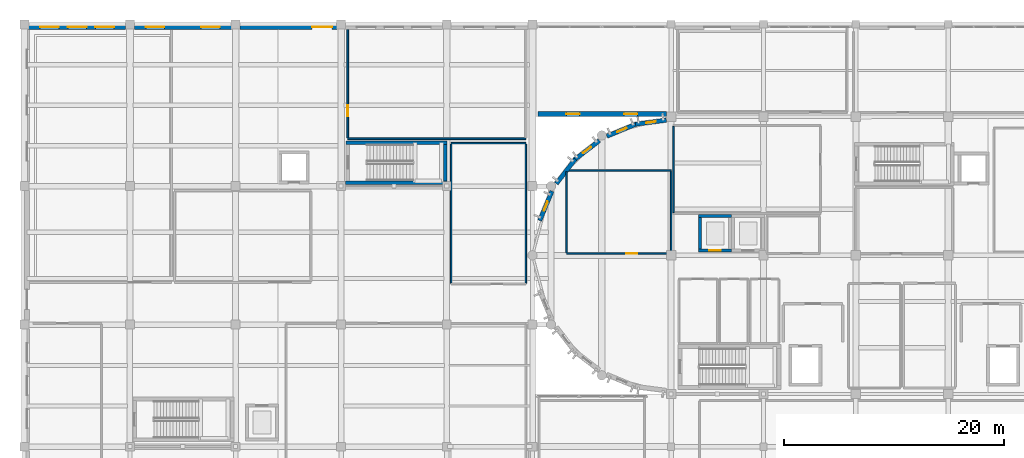
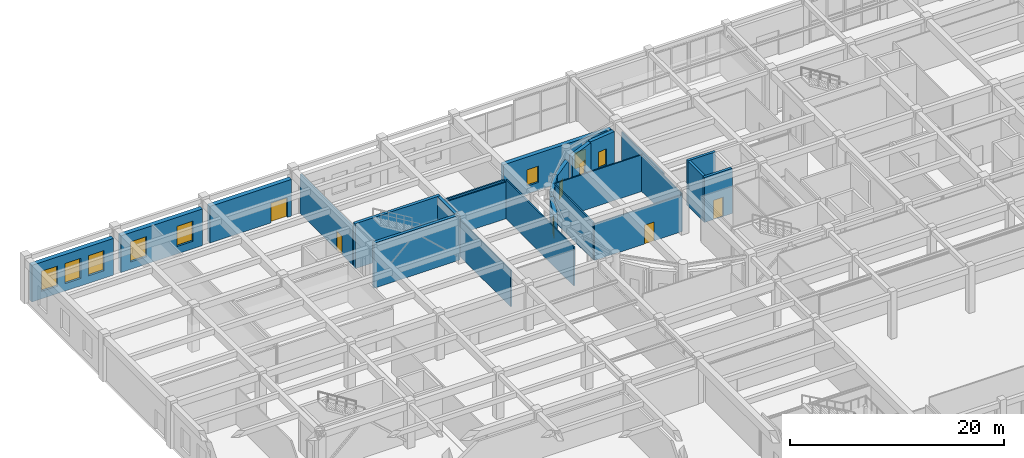
# One storey, part 71 of 98: 25 walls, 11 windows, 4 doors, 15 openings.
"""IFC4 building model written with IfcOpenShell, lengths in metres."""

from ifc_helpers import new_model, si_unit, direction, frame, frame_2d, origin, place, context, subcontext, project, spatial, rectangle, extrude, material, layer, layer_set, type_object, element, fill, save


model = new_model("IFC4")

# Units and contexts
model_context = context("Model", 3, precision=1e-05, world=origin(), true_north=direction((0.0, 1.0)))
body_context = subcontext(model_context, "Body", "Model", "MODEL_VIEW")
ifc_project = project(units=[si_unit("LENGTHUNIT", "METRE"), si_unit("AREAUNIT", "SQUARE_METRE"), si_unit("VOLUMEUNIT", "CUBIC_METRE"), si_unit("PLANEANGLEUNIT", "RADIAN"), si_unit("MASSUNIT", "GRAM", prefix="KILO")], contexts=[model_context])

# Site, building, storey
site_placement = place(None, origin())
site = spatial("IfcSite", under=ifc_project, at=site_placement, CompositionType="ELEMENT")
building_placement = place(site_placement, origin())
building = spatial("IfcBuilding", under=site, at=building_placement, Name="Tarnavel Promenade Courthouse", CompositionType="ELEMENT")
storey_placement = place(building_placement, origin())
storey = spatial("IfcBuildingStorey", under=building, at=storey_placement, Name="L01", CompositionType="ELEMENT", Elevation=0.0)

# Wall
ifc_material_1 = material(Name="Acoustic Insulated Gypsum Stud Partition", Category="gypsum")
ifc_layer_1 = layer(ifc_material_1, 0.1650390625)
ifc_layer_set_1 = layer_set([ifc_layer_1], Name="Acoustic Insulated Gypsum Stud Partition")
wall_type_1 = type_object("IfcWallType", Name="Acoustic Insulated Gypsum Stud Partition WL-CHM-165 (165 mm)", PredefinedType="PARTITIONING", material=ifc_layer_set_1)
wall_1_placement = place(storey_placement, frame((45.60009765625, 102.39990234375, 0.0), z_axis=(0.0, 0.0, 1.0), x_axis=(-1.0, 0.0, 0.0)))
element("IfcWall", 1, at=wall_1_placement, inside=storey, type_object=wall_type_1, Name="L01 Jury Assembly Room Partition 0119", PredefinedType="PARTITIONING", context=body_context, shape_type="SweptSolid", body=[
    extrude(rectangle(XDim=16.2001953125, YDim=0.1650390625, at=frame_2d((8.10009765625, 0.0))), origin(), (0.0, 0.0, 1.0), 4.179931640625),
])

# Wall, opening, door
wall_2_placement = place(storey_placement, frame((29.39990234375, 102.492431640625, 0.0), z_axis=(0.0, 0.0, 1.0), x_axis=(0.0, 1.0, 0.0)))
wall_2 = element("IfcWall", 2, at=wall_2_placement, inside=storey, type_object=wall_type_1, Name="L01 Jury Assembly Room Partition 0120", PredefinedType="PARTITIONING", context=body_context, shape_type="SweptSolid", body=[
    extrude(rectangle(XDim=9.83349609375, YDim=0.1650390625, at=frame_2d((4.916748046875, 0.0))), origin(), (0.0, 0.0, 1.0), 4.47998046875),
])
opening_1_placement = place(wall_2_placement, frame((1.976806640625, 0.0, 0.0)))
opening_1 = element("IfcOpeningElement", 3, at=opening_1_placement, cuts=wall_2, Name="Opening ID-03", PredefinedType="OPENING", context=body_context, shape_type="SweptSolid", body=[
    extrude(rectangle(XDim=1.0, YDim=2.14990234375, at=frame_2d((0.5, 1.074951171875))), frame((0.0, 0.092529296875, 0.0), z_axis=(0.0, -1.0, 0.0), x_axis=(1.0, 0.0, 0.0)), (0.0, 0.0, 1.0), 0.18505859375),
])
ifc_material_2 = material(Name="Acoustic Solid-Core Oak Jury Room Door")
door_type_1 = type_object("IfcDoorType", Name="Acoustic Solid-Core Oak Jury Room Door (DR-JRY-1000x2150)", OperationType="NOTDEFINED", PredefinedType="DOOR", material=ifc_material_2)
door_1_placement = place(opening_1_placement, origin())
door_1 = element("IfcDoor", 4, at=door_1_placement, inside=storey, type_object=door_type_1, Name="L01 Jury Assembly Room Door 0034", OperationType="SINGLE_SWING_RIGHT", OverallHeight=2.14990234375, OverallWidth=1.0, PredefinedType="DOOR", context=body_context, shape_type="SweptSolid", body=[
    extrude(rectangle(XDim=1.0, YDim=2.14990234375, at=frame_2d((0.5, 1.074951171875))), frame((0.0, 0.02490234375, 0.0), z_axis=(0.0, -1.0, 0.0), x_axis=(1.0, 0.0, 0.0)), (0.0, 0.0, 1.0), 0.050048828125),
])
fill(opening_1, door_1)

# Wall
ifc_material_3 = material(Name="Concrete C40/50", Category="concrete")
ifc_layer_2 = layer(ifc_material_3, 0.280029296875)
ifc_layer_set_2 = layer_set([ifc_layer_2], Name="Concrete C40/50")
wall_type_2 = type_object("IfcWallType", Name="Concrete C40/50 WL-SHR-280 (280 mm)", PredefinedType="SHEAR", material=ifc_layer_set_2)
wall_3_placement = place(storey_placement, frame((61.300048828125, 95.360107421875, 0.0), z_axis=(0.0, 0.0, 1.0), x_axis=(1.0, 0.0, 0.0)))
element("IfcWall", 5, at=wall_3_placement, inside=storey, type_object=wall_type_2, Name="L01 L-PUB1 Lift Shaft North Wall", PredefinedType="SHEAR", context=body_context, shape_type="SweptSolid", body=[
    extrude(rectangle(XDim=3.0, YDim=0.280029296875, at=frame_2d((1.5, 0.0))), origin(), (0.0, 0.0, 1.0), 5.139892578125),
])

# Wall, opening, door
wall_4_placement = place(storey_placement, frame((64.300048828125, 92.239990234375, 0.0), z_axis=(0.0, 0.0, 1.0), x_axis=(-1.0, 0.0, 0.0)))
wall_4 = element("IfcWall", 6, at=wall_4_placement, inside=storey, type_object=wall_type_2, Name="L01 L-PUB1 Lift Shaft South Wall", PredefinedType="SHEAR", context=body_context, shape_type="SweptSolid", body=[
    extrude(rectangle(XDim=3.0, YDim=0.280029296875, at=frame_2d((1.5, 0.0))), origin(), (0.0, 0.0, 1.0), 5.139892578125),
])
opening_2_placement = place(wall_4_placement, frame((0.97509765625, 0.0, 0.0)))
opening_2 = element("IfcOpeningElement", 7, at=opening_2_placement, cuts=wall_4, Name="Opening LD-02", PredefinedType="OPENING", context=body_context, shape_type="SweptSolid", body=[
    extrude(rectangle(XDim=1.050048828125, YDim=2.199951171875, at=frame_2d((0.52490234375, 1.10009765625))), frame((0.0, 0.14990234375, 0.0), z_axis=(0.0, -1.0, 0.0), x_axis=(1.0, 0.0, 0.0)), (0.0, 0.0, 1.0), 0.300048828125),
])
ifc_material_4 = material(Name="Brushed Bronze Passenger Lift Landing Sliding Door")
door_type_2 = type_object("IfcDoorType", Name="Brushed Bronze Passenger Lift Landing Sliding Door (LD-PUB-1050x2200)", OperationType="NOTDEFINED", PredefinedType="DOOR", material=ifc_material_4)
door_2_placement = place(opening_2_placement, origin())
door_2 = element("IfcDoor", 8, at=door_2_placement, inside=storey, type_object=door_type_2, Name="L01 L-PUB1 Lift Sliding Landing Door", OperationType="DOUBLE_DOOR_SLIDING", OverallHeight=2.199951171875, OverallWidth=1.050048828125, PredefinedType="DOOR", context=body_context, shape_type="SweptSolid", body=[
    extrude(rectangle(XDim=1.050048828125, YDim=2.199951171875, at=frame_2d((0.52490234375, 1.10009765625))), frame((0.0, 0.02490234375, 0.0), z_axis=(0.0, -1.0, 0.0), x_axis=(1.0, 0.0, 0.0)), (0.0, 0.0, 1.0), 0.050048828125),
])
fill(opening_2, door_2)

# Walls
wall_5_placement = place(storey_placement, frame((61.43994140625, 92.3798828125, 0.0), z_axis=(0.0, 0.0, 1.0), x_axis=(0.0, 1.0, 0.0)))
element("IfcWall", 9, at=wall_5_placement, inside=storey, type_object=wall_type_2, Name="L01 L-PUB1 Lift Shaft West Wall", PredefinedType="SHEAR", context=body_context, shape_type="SweptSolid", body=[
    extrude(rectangle(XDim=2.840087890625, YDim=0.280029296875, at=frame_2d((1.419921875, 0.0))), origin(), (0.0, 0.0, 1.0), 5.139892578125),
])
ifc_layer_3 = layer(ifc_material_3, 0.320068359375)
ifc_layer_set_3 = layer_set([ifc_layer_3], Name="Concrete C40/50")
wall_type_3 = type_object("IfcWallType", Name="Concrete C40/50 WL-SHR-320 (320 mm)", PredefinedType="SHEAR", material=ifc_layer_set_3)
wall_6_placement = place(storey_placement, frame((29.260009765625, 102.06005859375, 0.0), z_axis=(0.0, 0.0, 1.0), x_axis=(1.0, 0.0, 0.0)))
element("IfcWall", 10, at=wall_6_placement, inside=storey, type_object=wall_type_3, Name="L01 ST-07 Shear Core North Wall", PredefinedType="SHEAR", context=body_context, shape_type="SweptSolid", body=[
    extrude(rectangle(XDim=9.179931640625, YDim=0.320068359375, at=frame_2d((4.58984375, 0.0))), origin(), (0.0, 0.0, 1.0), 5.139892578125),
])
wall_7_placement = place(storey_placement, frame((38.43994140625, 98.419921875, 0.0), z_axis=(0.0, 0.0, 1.0), x_axis=(-1.0, 0.0, 0.0)))
element("IfcWall", 11, at=wall_7_placement, inside=storey, type_object=wall_type_3, Name="L01 ST-07 Shear Core South Wall", PredefinedType="SHEAR", context=body_context, shape_type="SweptSolid", body=[
    extrude(rectangle(XDim=9.239990234375, YDim=0.320068359375, at=frame_2d((4.6201171875, 0.0))), origin(), (0.0, 0.0, 1.0), 5.139892578125),
])
wall_8_placement = place(storey_placement, frame((38.280029296875, 101.89990234375, 0.0), z_axis=(0.0, 0.0, 1.0), x_axis=(0.0, -1.0, 0.0)))
element("IfcWall", 12, at=wall_8_placement, inside=storey, type_object=wall_type_3, Name="L01 ST-07 Shear Core East Wall", PredefinedType="SHEAR", context=body_context, shape_type="SweptSolid", body=[
    extrude(rectangle(XDim=3.31982421875, YDim=0.320068359375, at=frame_2d((1.659912109375, 0.0))), origin(), (0.0, 0.0, 1.0), 5.139892578125),
])

# Wall, openings, windows
ifc_material_5 = material(Name="Limestone Ashlar Faced Insulated Brick Masonry", Category="masonry")
ifc_layer_4 = layer(ifc_material_5, 0.43994140625)
ifc_layer_set_4 = layer_set([ifc_layer_4], Name="Limestone Ashlar Faced Insulated Brick Masonry")
wall_type_4 = type_object("IfcWallType", Name="Limestone Ashlar Faced Insulated Brick Masonry WL-EXT-440 (440 mm)", PredefinedType="STANDARD", material=ifc_layer_set_4)
wall_9_placement = place(storey_placement, frame((58.383056640625, 104.64990234375, 0.0), z_axis=(0.0, 0.0, 1.0), x_axis=(-1.0, 0.0, 0.0)))
wall_9 = element("IfcWall", 13, at=wall_9_placement, inside=storey, type_object=wall_type_4, Name="L01 North Foyer South Courtyard Return Wall 0023", PredefinedType="STANDARD", context=body_context, shape_type="SweptSolid", body=[
    extrude(rectangle(XDim=11.68310546875, YDim=0.43994140625, at=frame_2d((5.841552734375, 0.0))), origin(), (0.0, 0.0, 1.0), 4.219970703125),
])
opening_3_placement = place(wall_9_placement, frame((2.657958984375, 0.0, 0.89990234375)))
opening_3 = element("IfcOpeningElement", 14, at=opening_3_placement, cuts=wall_9, Name="Opening W-05", PredefinedType="OPENING", context=body_context, shape_type="SweptSolid", body=[
    extrude(rectangle(XDim=1.199951171875, YDim=1.85009765625, at=frame_2d((0.60009765625, 0.925048828125))), frame((0.0, 0.22998046875, 0.0), z_axis=(0.0, -1.0, 0.0), x_axis=(1.0, 0.0, 0.0)), (0.0, 0.0, 1.0), 0.4599609375),
])
opening_4_placement = place(wall_9_placement, frame((7.907958984375, 0.0, 0.89990234375)))
opening_4 = element("IfcOpeningElement", 15, at=opening_4_placement, cuts=wall_9, Name="Opening W-05", PredefinedType="OPENING", context=body_context, shape_type="SweptSolid", body=[
    extrude(rectangle(XDim=1.199951171875, YDim=1.85009765625, at=frame_2d((0.60009765625, 0.925048828125))), frame((0.0, 0.22998046875, 0.0), z_axis=(0.0, -1.0, 0.0), x_axis=(1.0, 0.0, 0.0)), (0.0, 0.0, 1.0), 0.4599609375),
])
ifc_material_6 = material(Name="Triple Low-E Glazed Bronze-Clad Window Assembly")
window_type_1 = type_object("IfcWindowType", Name="Triple-Glazed Bronze-Clad Timber-Aluminium WIN-CHM-1200x1850", PartitioningType="SINGLE_PANEL", PredefinedType="WINDOW", material=ifc_material_6)
window_1_placement = place(opening_3_placement, origin())
window_1 = element("IfcWindow", 16, at=window_1_placement, inside=storey, type_object=window_type_1, Name="L01 Exterior Window 0001", OverallHeight=1.85009765625, OverallWidth=1.199951171875, PartitioningType="SINGLE_PANEL", PredefinedType="WINDOW", context=body_context, shape_type="SweptSolid", body=[
    extrude(rectangle(XDim=1.199951171875, YDim=1.85009765625, at=frame_2d((0.60009765625, 0.925048828125))), frame((0.0, 0.030029296875, 0.0), z_axis=(0.0, -1.0, 0.0), x_axis=(1.0, 0.0, 0.0)), (0.0, 0.0, 1.0), 0.06005859375),
])
fill(opening_3, window_1)
window_2_placement = place(opening_4_placement, origin())
window_2 = element("IfcWindow", 17, at=window_2_placement, inside=storey, type_object=window_type_1, Name="L01 Exterior Window 0002", OverallHeight=1.85009765625, OverallWidth=1.199951171875, PartitioningType="SINGLE_PANEL", PredefinedType="WINDOW", context=body_context, shape_type="SweptSolid", body=[
    extrude(rectangle(XDim=1.199951171875, YDim=1.85009765625, at=frame_2d((0.60009765625, 0.925048828125))), frame((0.0, 0.030029296875, 0.0), z_axis=(0.0, -1.0, 0.0), x_axis=(1.0, 0.0, 0.0)), (0.0, 0.0, 1.0), 0.06005859375),
])
fill(opening_4, window_2)

ifc_layer_5 = layer(ifc_material_5, 0.47998046875)
ifc_layer_set_5 = layer_set([ifc_layer_5], Name="Limestone Ashlar Faced Insulated Brick Masonry")
wall_type_5 = type_object("IfcWallType", Name="Limestone Ashlar Faced Insulated Brick Masonry WL-EXT-480 (480 mm)", PredefinedType="STANDARD", material=ifc_layer_set_5)
wall_10_placement = place(storey_placement, frame((0.39208984375, 112.56005859375, 0.0), z_axis=(0.0, 0.0, 1.0), x_axis=(1.0, 0.0, 0.0)))
wall_10 = element("IfcWall", 18, at=wall_10_placement, inside=storey, type_object=wall_type_5, Name="L01 Trial Wing North Ashlar Facade 0272", PredefinedType="STANDARD", context=body_context, shape_type="SweptSolid", body=[
    extrude(rectangle(XDim=8.81591796875, YDim=0.47998046875, at=frame_2d((4.407958984375, 0.0))), origin(), (0.0, 0.0, 1.0), 4.179931640625),
])
opening_5_placement = place(wall_10_placement, frame((1.044677734375, 0.0, 0.85009765625)))
opening_5 = element("IfcOpeningElement", 19, at=opening_5_placement, cuts=wall_10, Name="Opening W-01", PredefinedType="OPENING", context=body_context, shape_type="SweptSolid", body=[
    extrude(rectangle(XDim=1.699951171875, YDim=2.300048828125, at=frame_2d((0.85009765625, 1.14990234375))), frame((0.0, 0.25, 0.0), z_axis=(0.0, -1.0, 0.0), x_axis=(1.0, 0.0, 0.0)), (0.0, 0.0, 1.0), 0.5),
])
opening_6_placement = place(wall_10_placement, frame((3.55810546875, 0.0, 0.85009765625)))
opening_6 = element("IfcOpeningElement", 20, at=opening_6_placement, cuts=wall_10, Name="Opening W-01", PredefinedType="OPENING", context=body_context, shape_type="SweptSolid", body=[
    extrude(rectangle(XDim=1.699951171875, YDim=2.300048828125, at=frame_2d((0.85009765625, 1.14990234375))), frame((0.0, 0.25, 0.0), z_axis=(0.0, -1.0, 0.0), x_axis=(1.0, 0.0, 0.0)), (0.0, 0.0, 1.0), 0.5),
])
opening_7_placement = place(wall_10_placement, frame((6.0712890625, 0.0, 0.85009765625)))
opening_7 = element("IfcOpeningElement", 21, at=opening_7_placement, cuts=wall_10, Name="Opening W-01", PredefinedType="OPENING", context=body_context, shape_type="SweptSolid", body=[
    extrude(rectangle(XDim=1.699951171875, YDim=2.300048828125, at=frame_2d((0.85009765625, 1.14990234375))), frame((0.0, 0.25, 0.0), z_axis=(0.0, -1.0, 0.0), x_axis=(1.0, 0.0, 0.0)), (0.0, 0.0, 1.0), 0.5),
])
window_type_2 = type_object("IfcWindowType", Name="Triple-Glazed Bronze-Clad Timber-Aluminium WIN-CRT-1700x2300", PartitioningType="SINGLE_PANEL", PredefinedType="WINDOW", material=ifc_material_6)
window_3_placement = place(opening_5_placement, origin())
window_3 = element("IfcWindow", 22, at=window_3_placement, inside=storey, type_object=window_type_2, Name="L01 Exterior Window 0233", OverallHeight=2.300048828125, OverallWidth=1.699951171875, PartitioningType="SINGLE_PANEL", PredefinedType="WINDOW", context=body_context, shape_type="SweptSolid", body=[
    extrude(rectangle(XDim=1.699951171875, YDim=2.300048828125, at=frame_2d((0.85009765625, 1.14990234375))), frame((0.0, 0.030029296875, 0.0), z_axis=(0.0, -1.0, 0.0), x_axis=(1.0, 0.0, 0.0)), (0.0, 0.0, 1.0), 0.06005859375),
])
fill(opening_5, window_3)
window_4_placement = place(opening_6_placement, origin())
window_4 = element("IfcWindow", 23, at=window_4_placement, inside=storey, type_object=window_type_2, Name="L01 Exterior Window 0234", OverallHeight=2.300048828125, OverallWidth=1.699951171875, PartitioningType="SINGLE_PANEL", PredefinedType="WINDOW", context=body_context, shape_type="SweptSolid", body=[
    extrude(rectangle(XDim=1.699951171875, YDim=2.300048828125, at=frame_2d((0.85009765625, 1.14990234375))), frame((0.0, 0.030029296875, 0.0), z_axis=(0.0, -1.0, 0.0), x_axis=(1.0, 0.0, 0.0)), (0.0, 0.0, 1.0), 0.06005859375),
])
fill(opening_6, window_4)
window_5_placement = place(opening_7_placement, origin())
window_5 = element("IfcWindow", 24, at=window_5_placement, inside=storey, type_object=window_type_2, Name="L01 Exterior Window 0235", OverallHeight=2.300048828125, OverallWidth=1.699951171875, PartitioningType="SINGLE_PANEL", PredefinedType="WINDOW", context=body_context, shape_type="SweptSolid", body=[
    extrude(rectangle(XDim=1.699951171875, YDim=2.300048828125, at=frame_2d((0.85009765625, 1.14990234375))), frame((0.0, 0.030029296875, 0.0), z_axis=(0.0, -1.0, 0.0), x_axis=(1.0, 0.0, 0.0)), (0.0, 0.0, 1.0), 0.06005859375),
])
fill(opening_7, window_5)

wall_11_placement = place(storey_placement, frame((9.991943359375, 112.56005859375, 0.0), z_axis=(0.0, 0.0, 1.0), x_axis=(1.0, 0.0, 0.0)))
wall_11 = element("IfcWall", 25, at=wall_11_placement, inside=storey, type_object=wall_type_5, Name="L01 Trial Wing North Ashlar Facade 0273", PredefinedType="STANDARD", context=body_context, shape_type="SweptSolid", body=[
    extrude(rectangle(XDim=8.821044921875, YDim=0.47998046875, at=frame_2d((4.41064453125, 0.0))), origin(), (0.0, 0.0, 1.0), 4.179931640625),
])
opening_8_placement = place(wall_11_placement, frame((1.044677734375, 0.0, 0.85009765625)))
opening_8 = element("IfcOpeningElement", 26, at=opening_8_placement, cuts=wall_11, Name="Opening W-01", PredefinedType="OPENING", context=body_context, shape_type="SweptSolid", body=[
    extrude(rectangle(XDim=1.699951171875, YDim=2.300048828125, at=frame_2d((0.85009765625, 1.14990234375))), frame((0.0, 0.25, 0.0), z_axis=(0.0, -1.0, 0.0), x_axis=(1.0, 0.0, 0.0)), (0.0, 0.0, 1.0), 0.5),
])
opening_9_placement = place(wall_11_placement, frame((6.0712890625, 0.0, 0.85009765625)))
opening_9 = element("IfcOpeningElement", 27, at=opening_9_placement, cuts=wall_11, Name="Opening W-01", PredefinedType="OPENING", context=body_context, shape_type="SweptSolid", body=[
    extrude(rectangle(XDim=1.699951171875, YDim=2.300048828125, at=frame_2d((0.85009765625, 1.14990234375))), frame((0.0, 0.25, 0.0), z_axis=(0.0, -1.0, 0.0), x_axis=(1.0, 0.0, 0.0)), (0.0, 0.0, 1.0), 0.5),
])
window_6_placement = place(opening_8_placement, origin())
window_6 = element("IfcWindow", 28, at=window_6_placement, inside=storey, type_object=window_type_2, Name="L01 Exterior Window 0236", OverallHeight=2.300048828125, OverallWidth=1.699951171875, PartitioningType="SINGLE_PANEL", PredefinedType="WINDOW", context=body_context, shape_type="SweptSolid", body=[
    extrude(rectangle(XDim=1.699951171875, YDim=2.300048828125, at=frame_2d((0.85009765625, 1.14990234375))), frame((0.0, 0.030029296875, 0.0), z_axis=(0.0, -1.0, 0.0), x_axis=(1.0, 0.0, 0.0)), (0.0, 0.0, 1.0), 0.06005859375),
])
fill(opening_8, window_6)
window_7_placement = place(opening_9_placement, origin())
window_7 = element("IfcWindow", 29, at=window_7_placement, inside=storey, type_object=window_type_2, Name="L01 Exterior Window 0237", OverallHeight=2.300048828125, OverallWidth=1.699951171875, PartitioningType="SINGLE_PANEL", PredefinedType="WINDOW", context=body_context, shape_type="SweptSolid", body=[
    extrude(rectangle(XDim=1.699951171875, YDim=2.300048828125, at=frame_2d((0.85009765625, 1.14990234375))), frame((0.0, 0.030029296875, 0.0), z_axis=(0.0, -1.0, 0.0), x_axis=(1.0, 0.0, 0.0)), (0.0, 0.0, 1.0), 0.06005859375),
])
fill(opening_9, window_7)

# Wall, opening, door
wall_12_placement = place(storey_placement, frame((19.5869140625, 112.56005859375, 0.0), z_axis=(0.0, 0.0, 1.0), x_axis=(1.0, 0.0, 0.0)))
wall_12 = element("IfcWall", 30, at=wall_12_placement, inside=storey, type_object=wall_type_5, Name="L01 Trial Wing North Ashlar Facade 0274", PredefinedType="STANDARD", context=body_context, shape_type="SweptSolid", body=[
    extrude(rectangle(XDim=8.826171875, YDim=0.47998046875, at=frame_2d((4.4130859375, 0.0))), origin(), (0.0, 0.0, 1.0), 4.179931640625),
])
opening_10_placement = place(wall_12_placement, frame((6.5830078125, 0.0, 0.0)))
opening_10 = element("IfcOpeningElement", 31, at=opening_10_placement, cuts=wall_12, Name="Opening ED-03", PredefinedType="OPENING", context=body_context, shape_type="SweptSolid", body=[
    extrude(rectangle(XDim=1.800048828125, YDim=2.25, at=frame_2d((0.89990234375, 1.125))), frame((0.0, 0.25, 0.0), z_axis=(0.0, -1.0, 0.0), x_axis=(1.0, 0.0, 0.0)), (0.0, 0.0, 1.0), 0.5),
])
ifc_material_7 = material(Name="Insulated Steel Emergency Exit Double Door", Category="steel")
door_type_3 = type_object("IfcDoorType", Name="Insulated Steel Emergency Exit Double Door (ED-EXIT-1800x2250)", OperationType="NOTDEFINED", PredefinedType="DOOR", material=ifc_material_7)
door_3_placement = place(opening_10_placement, origin())
door_3 = element("IfcDoor", 32, at=door_3_placement, inside=storey, type_object=door_type_3, Name="Trial Courts North Stair Approach Direct Exterior Exit Door", OperationType="DOUBLE_DOOR_SINGLE_SWING", OverallHeight=2.25, OverallWidth=1.800048828125, PredefinedType="DOOR", context=body_context, shape_type="SweptSolid", body=[
    extrude(rectangle(XDim=1.800048828125, YDim=2.25, at=frame_2d((0.89990234375, 1.125))), frame((0.0, 0.02490234375, 0.0), z_axis=(0.0, -1.0, 0.0), x_axis=(1.0, 0.0, 0.0)), (0.0, 0.0, 1.0), 0.050048828125),
])
fill(opening_10, door_3)

# Walls
ifc_material_8 = material(Name="Metal-Stud Acoustic Gypsum Partition", Category="gypsum")
ifc_layer_6 = layer(ifc_material_8, 0.135009765625)
ifc_layer_set_6 = layer_set([ifc_layer_6], Name="Metal-Stud Acoustic Gypsum Partition")
wall_type_6 = type_object("IfcWallType", Name="Metal-Stud Acoustic Gypsum Partition WL-OFF-135 (135 mm)", PredefinedType="PARTITIONING", material=ifc_layer_set_6)
wall_13_placement = place(storey_placement, frame((38.800048828125, 102.0, 0.0), z_axis=(0.0, 0.0, 1.0), x_axis=(1.0, 0.0, 0.0)))
element("IfcWall", 33, at=wall_13_placement, inside=storey, type_object=wall_type_6, Name="L01 L01 Witness Waiting Room Partition 0122", PredefinedType="PARTITIONING", context=body_context, shape_type="SweptSolid", body=[
    extrude(rectangle(XDim=6.800048828125, YDim=0.135009765625, at=frame_2d((3.39990234375, 0.0))), origin(), (0.0, 0.0, 1.0), 4.179931640625),
])
wall_14_placement = place(storey_placement, frame((38.800048828125, 89.277587890625, 0.0), z_axis=(0.0, 0.0, 1.0), x_axis=(0.0, 1.0, 0.0)))
element("IfcWall", 34, at=wall_14_placement, inside=storey, type_object=wall_type_6, Name="L01 L01 Witness Waiting Room Partition 0124", PredefinedType="PARTITIONING", context=body_context, shape_type="SweptSolid", body=[
    extrude(rectangle(XDim=12.64501953125, YDim=0.135009765625, at=frame_2d((6.322509765625, 0.0))), origin(), (0.0, 0.0, 1.0), 4.179931640625),
])
wall_15_placement = place(storey_placement, frame((45.60009765625, 101.922607421875, 0.0), z_axis=(0.0, 0.0, 1.0), x_axis=(0.0, -1.0, 0.0)))
element("IfcWall", 35, at=wall_15_placement, inside=storey, type_object=wall_type_6, Name="L01 L01 Witness Waiting Room Partition 0125", PredefinedType="PARTITIONING", context=body_context, shape_type="SweptSolid", body=[
    extrude(rectangle(XDim=12.64501953125, YDim=0.135009765625, at=frame_2d((6.322509765625, 0.0))), origin(), (0.0, 0.0, 1.0), 4.469970703125),
])
wall_16_placement = place(storey_placement, frame((59.0, 95.677490234375, 0.0), z_axis=(0.0, 0.0, 1.0), x_axis=(0.0, 1.0, 0.0)))
element("IfcWall", 36, at=wall_16_placement, inside=storey, type_object=wall_type_6, Name="L01 Court Security Control Room Partition 0218", PredefinedType="PARTITIONING", context=body_context, shape_type="SweptSolid", body=[
    extrude(rectangle(XDim=7.844970703125, YDim=0.135009765625, at=frame_2d((3.92236328125, 0.0))), origin(), (0.0, 0.0, 1.0), 4.27001953125),
])
wall_17_placement = place(storey_placement, frame((49.300048828125, 99.5, 0.0), z_axis=(0.0, 0.0, 1.0), x_axis=(1.0, 0.0, 0.0)))
element("IfcWall", 37, at=wall_17_placement, inside=storey, type_object=wall_type_6, Name="L01 L01 West Drum Rotunda Meeting North Partition 0240", PredefinedType="PARTITIONING", context=body_context, shape_type="SweptSolid", body=[
    extrude(rectangle(XDim=9.5, YDim=0.135009765625, at=frame_2d((4.75, 0.0))), origin(), (0.0, 0.0, 1.0), 4.169921875),
])

# Wall, opening, door
wall_18_placement = place(storey_placement, frame((58.800048828125, 91.949951171875, 0.0), z_axis=(0.0, 0.0, 1.0), x_axis=(-1.0, 0.0, 0.0)))
wall_18 = element("IfcWall", 38, at=wall_18_placement, inside=storey, type_object=wall_type_6, Name="L01 L01 West Drum Rotunda Meeting North Partition 0241", PredefinedType="PARTITIONING", context=body_context, shape_type="SweptSolid", body=[
    extrude(rectangle(XDim=9.5, YDim=0.135009765625, at=frame_2d((4.75, 0.0))), origin(), (0.0, 0.0, 1.0), 4.169921875),
])
opening_11_placement = place(wall_18_placement, frame((3.072998046875, 0.0, 0.0)))
opening_11 = element("IfcOpeningElement", 39, at=opening_11_placement, cuts=wall_18, Name="Opening ID-07", PredefinedType="OPENING", context=body_context, shape_type="SweptSolid", body=[
    extrude(rectangle(XDim=1.02001953125, YDim=2.14990234375, at=frame_2d((0.510009765625, 1.074951171875))), frame((0.0, 0.077392578125, 0.0), z_axis=(0.0, -1.0, 0.0), x_axis=(1.0, 0.0, 0.0)), (0.0, 0.0, 1.0), 0.155029296875),
])
ifc_material_9 = material(Name="Acoustic Timber Seminar Room Door", Category="wood")
door_type_4 = type_object("IfcDoorType", Name="Acoustic Timber Seminar Room Door (DR-MTG-1020x2150)", OperationType="NOTDEFINED", PredefinedType="DOOR", material=ifc_material_9)
door_4_placement = place(opening_11_placement, origin())
door_4 = element("IfcDoor", 40, at=door_4_placement, inside=storey, type_object=door_type_4, Name="L01 L01 West Drum Rotunda Meeting North Door 0069", OperationType="SINGLE_SWING_LEFT", OverallHeight=2.14990234375, OverallWidth=1.02001953125, PredefinedType="DOOR", context=body_context, shape_type="SweptSolid", body=[
    extrude(rectangle(XDim=1.02001953125, YDim=2.14990234375, at=frame_2d((0.510009765625, 1.074951171875))), frame((0.0, 0.02490234375, 0.0), z_axis=(0.0, -1.0, 0.0), x_axis=(1.0, 0.0, 0.0)), (0.0, 0.0, 1.0), 0.050048828125),
])
fill(opening_11, door_4)

# Walls
for number, where, z_axis, x_axis, name in (
    (41, (49.300048828125, 92.027587890625, 0.0), (0.0, 0.0, 1.0), (0.0, 1.0, 0.0), "L01 L01 West Drum Rotunda Meeting North Partition 0242"),
    (42, (58.800048828125, 99.422607421875, 0.0), (0.0, 0.0, 1.0), (0.0, -1.0, 0.0), "L01 L01 West Drum Rotunda Meeting North Partition 0243"),
):
    element("IfcWall", number, at=place(storey_placement, frame(where, z_axis=z_axis, x_axis=x_axis)), inside=storey, type_object=wall_type_6, Name=name, PredefinedType="PARTITIONING", context=body_context, shape_type="SweptSolid", body=[
        extrude(rectangle(XDim=7.39501953125, YDim=0.135009765625, at=frame_2d((3.697509765625, 0.0))), origin(), (0.0, 0.0, 1.0), 4.27001953125),
    ])

# Wall, opening, window
ifc_material_10 = material(Name="Patinated Copper-Bronze Insulated Drum Wall Assembly", Category="masonry")
ifc_layer_7 = layer(ifc_material_10, 0.39501953125)
ifc_layer_set_7 = layer_set([ifc_layer_7], Name="Patinated Copper-Bronze Insulated Drum Wall Assembly")
wall_type_7 = type_object("IfcWallType", Name="Patinated Copper-Bronze Insulated Drum Wall Assembly WL-DRUM-395 (395 mm)", PredefinedType="ELEMENTEDWALL", material=ifc_layer_set_7)
wall_19_placement = place(storey_placement, frame((58.37158203125, 104.09130859375, 0.0), z_axis=(0.0, 0.0, 1.0), x_axis=(-0.991455178228, -0.130447803989, 0.0)))
wall_19 = element("IfcWall", 43, at=wall_19_placement, inside=storey, type_object=wall_type_7, Name="L01 W Copper Drum Chord Wall 01 0025", PredefinedType="ELEMENTEDWALL", context=body_context, shape_type="SweptSolid", body=[
    extrude(rectangle(XDim=2.82421875, YDim=0.39501953125, at=frame_2d((1.412109375, 0.0))), origin(), (0.0, 0.0, 1.0), 4.27001953125),
])
opening_12_placement = place(wall_19_placement, frame((0.962158203125, 0.0, 0.85009765625)))
opening_12 = element("IfcOpeningElement", 44, at=opening_12_placement, cuts=wall_19, Name="Opening W-08", PredefinedType="OPENING", context=body_context, shape_type="SweptSolid", body=[
    extrude(rectangle(XDim=0.89990234375, YDim=1.85009765625, at=frame_2d((0.449951171875, 0.925048828125))), frame((0.0, 0.20751953125, 0.0), z_axis=(0.0, -1.0, 0.0), x_axis=(1.0, 0.0, 0.0)), (0.0, 0.0, 1.0), 0.4150390625),
])
window_type_3 = type_object("IfcWindowType", Name="Triple-Glazed Bronze-Clad Timber-Aluminium WIN-DRM-0900x1850", PartitioningType="SINGLE_PANEL", PredefinedType="WINDOW", material=ifc_material_6)
window_8_placement = place(opening_12_placement, origin())
window_8 = element("IfcWindow", 45, at=window_8_placement, inside=storey, type_object=window_type_3, Name="L01 Exterior Window 0005", OverallHeight=1.85009765625, OverallWidth=0.89990234375, PartitioningType="SINGLE_PANEL", PredefinedType="WINDOW", context=body_context, shape_type="SweptSolid", body=[
    extrude(rectangle(XDim=0.89990234375, YDim=1.85009765625, at=frame_2d((0.449951171875, 0.925048828125))), frame((0.0, 0.030029296875, 0.0), z_axis=(0.0, -1.0, 0.0), x_axis=(1.0, 0.0, 0.0)), (0.0, 0.0, 1.0), 0.06005859375),
])
fill(opening_12, window_8)

wall_20_placement = place(storey_placement, frame((55.634521484375, 103.73974609375, 0.0), z_axis=(0.0, 0.0, 1.0), x_axis=(-0.923866622923, -0.382714597381, 0.0)))
wall_20 = element("IfcWall", 46, at=wall_20_placement, inside=storey, type_object=wall_type_7, Name="L01 W Copper Drum Chord Wall 02 0026", PredefinedType="ELEMENTEDWALL", context=body_context, shape_type="SweptSolid", body=[
    extrude(rectangle(XDim=2.892333984375, YDim=0.39501953125, at=frame_2d((1.4462890625, 0.0))), origin(), (0.0, 0.0, 1.0), 4.169921875),
])
opening_13_placement = place(wall_20_placement, frame((0.962158203125, 0.0, 0.85009765625)))
opening_13 = element("IfcOpeningElement", 47, at=opening_13_placement, cuts=wall_20, Name="Opening W-08", PredefinedType="OPENING", context=body_context, shape_type="SweptSolid", body=[
    extrude(rectangle(XDim=0.89990234375, YDim=1.85009765625, at=frame_2d((0.449951171875, 0.925048828125))), frame((0.0, 0.20751953125, 0.0), z_axis=(0.0, -1.0, 0.0), x_axis=(1.0, 0.0, 0.0)), (0.0, 0.0, 1.0), 0.4150390625),
])
window_9_placement = place(opening_13_placement, origin())
window_9 = element("IfcWindow", 48, at=window_9_placement, inside=storey, type_object=window_type_3, Name="L01 Exterior Window 0006", OverallHeight=1.85009765625, OverallWidth=0.89990234375, PartitioningType="SINGLE_PANEL", PredefinedType="WINDOW", context=body_context, shape_type="SweptSolid", body=[
    extrude(rectangle(XDim=0.89990234375, YDim=1.85009765625, at=frame_2d((0.449951171875, 0.925048828125))), frame((0.0, 0.030029296875, 0.0), z_axis=(0.0, -1.0, 0.0), x_axis=(1.0, 0.0, 0.0)), (0.0, 0.0, 1.0), 0.06005859375),
])
fill(opening_13, window_9)

wall_21_placement = place(storey_placement, frame((52.283203125, 102.23046875, 0.0), z_axis=(0.0, 0.0, 1.0), x_axis=(-0.793343310116, -0.608774500364, 0.0)))
wall_21 = element("IfcWall", 49, at=wall_21_placement, inside=storey, type_object=wall_type_7, Name="L01 W Copper Drum Chord Wall 03 0027", PredefinedType="ELEMENTEDWALL", context=body_context, shape_type="SweptSolid", body=[
    extrude(rectangle(XDim=2.82421875, YDim=0.39501953125, at=frame_2d((1.412109375, 0.0))), origin(), (0.0, 0.0, 1.0), 4.169921875),
])
opening_14_placement = place(wall_21_placement, frame((0.962158203125, 0.0, 0.85009765625)))
opening_14 = element("IfcOpeningElement", 50, at=opening_14_placement, cuts=wall_21, Name="Opening W-08", PredefinedType="OPENING", context=body_context, shape_type="SweptSolid", body=[
    extrude(rectangle(XDim=0.89990234375, YDim=1.85009765625, at=frame_2d((0.449951171875, 0.925048828125))), frame((0.0, 0.20751953125, 0.0), z_axis=(0.0, -1.0, 0.0), x_axis=(1.0, 0.0, 0.0)), (0.0, 0.0, 1.0), 0.4150390625),
])
window_10_placement = place(opening_14_placement, origin())
window_10 = element("IfcWindow", 51, at=window_10_placement, inside=storey, type_object=window_type_3, Name="L01 Exterior Window 0007", OverallHeight=1.85009765625, OverallWidth=0.89990234375, PartitioningType="SINGLE_PANEL", PredefinedType="WINDOW", context=body_context, shape_type="SweptSolid", body=[
    extrude(rectangle(XDim=0.89990234375, YDim=1.85009765625, at=frame_2d((0.449951171875, 0.925048828125))), frame((0.0, 0.030029296875, 0.0), z_axis=(0.0, -1.0, 0.0), x_axis=(1.0, 0.0, 0.0)), (0.0, 0.0, 1.0), 0.06005859375),
])
fill(opening_14, window_10)

# Wall
wall_22_placement = place(storey_placement, frame((50.0888671875, 100.557373046875, 0.0), z_axis=(0.0, 0.0, 1.0), x_axis=(-0.608787157184, -0.793333597705, 0.0)))
element("IfcWall", 52, at=wall_22_placement, inside=storey, type_object=wall_type_7, Name="L01 W Copper Drum Chord Wall 04 0028", PredefinedType="ELEMENTEDWALL", context=body_context, shape_type="SweptSolid", body=[
    extrude(rectangle(XDim=2.824462890625, YDim=0.39501953125, at=frame_2d((1.412109375, 0.0))), origin(), (0.0, 0.0, 1.0), 4.27001953125),
])

# Wall, opening, window
wall_23_placement = place(storey_placement, frame((47.967041015625, 97.637451171875, 0.0), z_axis=(0.0, 0.0, 1.0), x_axis=(-0.382672391391, -0.923884105755, 0.0)))
wall_23 = element("IfcWall", 53, at=wall_23_placement, inside=storey, type_object=wall_type_7, Name="L01 W Copper Drum Chord Wall 05 0029", PredefinedType="ELEMENTEDWALL", context=body_context, shape_type="SweptSolid", body=[
    extrude(rectangle(XDim=2.89208984375, YDim=0.39501953125, at=frame_2d((1.446044921875, 0.0))), origin(), (0.0, 0.0, 1.0), 4.27001953125),
])
opening_15_placement = place(wall_23_placement, frame((1.030029296875, 0.0, 0.85009765625)))
opening_15 = element("IfcOpeningElement", 54, at=opening_15_placement, cuts=wall_23, Name="Opening W-08", PredefinedType="OPENING", context=body_context, shape_type="SweptSolid", body=[
    extrude(rectangle(XDim=0.89990234375, YDim=1.85009765625, at=frame_2d((0.449951171875, 0.925048828125))), frame((0.0, 0.20751953125, 0.0), z_axis=(0.0, -1.0, 0.0), x_axis=(1.0, 0.0, 0.0)), (0.0, 0.0, 1.0), 0.4150390625),
])
window_11_placement = place(opening_15_placement, origin())
window_11 = element("IfcWindow", 55, at=window_11_placement, inside=storey, type_object=window_type_3, Name="L01 Exterior Window 0008", OverallHeight=1.85009765625, OverallWidth=0.89990234375, PartitioningType="SINGLE_PANEL", PredefinedType="WINDOW", context=body_context, shape_type="SweptSolid", body=[
    extrude(rectangle(XDim=0.89990234375, YDim=1.85009765625, at=frame_2d((0.449951171875, 0.925048828125))), frame((0.0, 0.030029296875, 0.0), z_axis=(0.0, -1.0, 0.0), x_axis=(1.0, 0.0, 0.0)), (0.0, 0.0, 1.0), 0.06005859375),
])
fill(opening_15, window_11)

save(model, "model.ifc")
